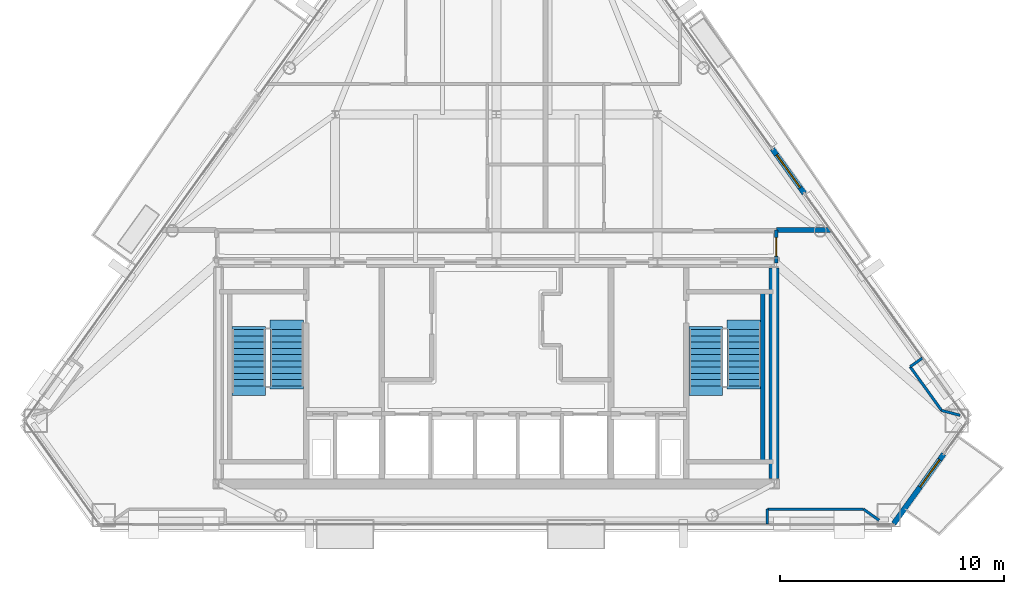
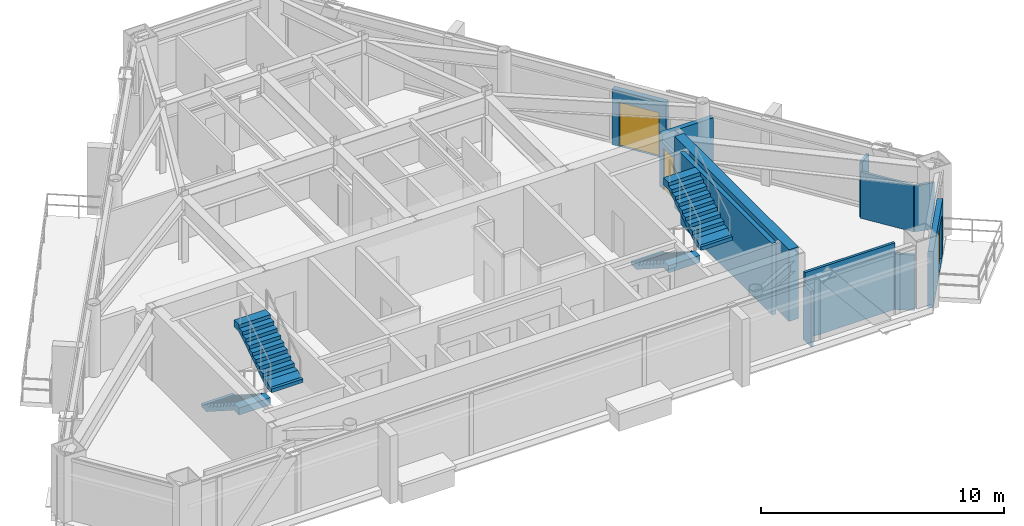
# One storey, part 9 of 11: 12 walls, 4 stair flights, 3 doors, 3 openings, 2 elements without a shape of their own.
"""IFC4 building model written with IfcOpenShell, lengths in metres."""

from ifc_helpers import new_model, si_unit, direction, frame, frame_2d, origin, place, context, subcontext, project, spatial, polyline, rectangle, outline, extrude, material, layer, layer_set, type_object, element, fill, aggregate, save


model = new_model("IFC4")

# Units and contexts
model_context = context("Model", 3, precision=1e-05, world=origin(), true_north=direction((0.0, 1.0)))
body_context = subcontext(model_context, "Body", "Model", "MODEL_VIEW")
ifc_project = project(units=[si_unit("LENGTHUNIT", "METRE"), si_unit("AREAUNIT", "SQUARE_METRE"), si_unit("VOLUMEUNIT", "CUBIC_METRE"), si_unit("PLANEANGLEUNIT", "RADIAN"), si_unit("MASSUNIT", "GRAM", prefix="KILO")], contexts=[model_context])

# Site, building, storey
site_placement = place(None, origin())
site = spatial("IfcSite", under=ifc_project, at=site_placement, CompositionType="ELEMENT")
building_placement = place(site_placement, origin())
building = spatial("IfcBuilding", under=site, at=building_placement, Name="Talgorran Terracotta Tower", CompositionType="ELEMENT")
storey_placement = place(building_placement, frame((0.0, 0.0, 207.300048828125)))
storey = spatial("IfcBuildingStorey", under=building, at=storey_placement, Name="L54", CompositionType="ELEMENT", Elevation=207.300048828125)

# Wall, opening, door
ifc_material_1 = material(Name="Concrete C40/50", Category="concrete")
ifc_layer_1 = layer(ifc_material_1, 0.239990234375, Name="WT_BALCONY_SPAND")
ifc_layer_set_1 = layer_set([ifc_layer_1], Name="Concrete C40/50")
wall_type_1 = type_object("IfcWallType", Name="WT_BALCONY_SPAND", PredefinedType="STANDARD", material=ifc_layer_set_1)
wall_1_placement = place(storey_placement, frame((13.747314453125, -1.119873046875, -0.01513671875), z_axis=(0.0, 0.0, 1.0), x_axis=(-0.58349791381, 0.812114637585, 0.0)))
wall_1 = element("IfcWall", 1, at=wall_1_placement, inside=storey, type_object=wall_type_1, Name="WL-L54-BALP-BAL-NE", PredefinedType="STANDARD", context=body_context, shape_type="SweptSolid", body=[
    extrude(rectangle(XDim=2.440185546875, YDim=0.239990234375, at=frame_2d((1.22021484375, 0.0))), origin(), (0.0, 0.0, 1.0), 2.802001953125),
])
opening_1_placement = place(wall_1_placement, frame((0.320068359375, 0.0, 0.014892578125)))
opening_1 = element("IfcOpeningElement", 2, at=opening_1_placement, cuts=wall_1, Name="Opening D-BAL-L54-1", PredefinedType="OPENING", context=body_context, shape_type="SweptSolid", body=[
    extrude(rectangle(XDim=1.806048828125, YDim=2.203951171875, at=frame_2d((0.89990234375, 1.10205078125))), frame((0.0, 0.1298828125, 0.0), z_axis=(0.0, -1.0, 0.0), x_axis=(1.0, 0.0, 0.0)), (0.0, 0.0, 1.0), 0.260009765625),
])
ifc_material_2 = material(Name="Thermally Broken Aluminium", Category="aluminium")
door_type_1 = type_object("IfcDoorType", Name="DT_BALC_1800", OperationType="SLIDING_TO_LEFT", PredefinedType="DOOR", material=ifc_material_2)
door_1_placement = place(opening_1_placement, origin())
door_1 = element("IfcDoor", 3, at=door_1_placement, inside=storey, type_object=door_type_1, Name="DR-L54-BAL-BAL-NE", OperationType="SLIDING_TO_LEFT", OverallHeight=2.199951171875, OverallWidth=1.800048828125, PredefinedType="DOOR", context=body_context, shape_type="SweptSolid", body=[
    extrude(rectangle(XDim=1.800048828125, YDim=2.199951171875, at=frame_2d((0.89990234375, 1.10009765625))), frame((0.0, 0.02490234375, 0.0), z_axis=(0.0, -1.0, 0.0), x_axis=(1.0, 0.0, 0.0)), (0.0, 0.0, 1.0), 0.050048828125),
])
fill(opening_1, door_1)

wall_2_placement = place(storey_placement, frame((17.7392578125, -15.8642578125, -0.01513671875), z_axis=(0.0, 0.0, 1.0), x_axis=(0.5835494265, 0.812077623649, 0.0)))
wall_2 = element("IfcWall", 4, at=wall_2_placement, inside=storey, type_object=wall_type_1, Name="WL-L54-BALP-BAL-SE", PredefinedType="STANDARD", context=body_context, shape_type="SweptSolid", body=[
    extrude(rectangle(XDim=3.8330078125, YDim=0.239990234375, at=frame_2d((1.91650390625, 0.0))), origin(), (0.0, 0.0, 1.0), 2.802001953125),
])
opening_2_placement = place(wall_2_placement, frame((2.01318359375, 0.0, 0.014892578125)))
opening_2 = element("IfcOpeningElement", 5, at=opening_2_placement, cuts=wall_2, Name="Opening D-BAL-L54-3", PredefinedType="OPENING", context=body_context, shape_type="SweptSolid", body=[
    extrude(rectangle(XDim=1.506, YDim=2.203951171875, at=frame_2d((0.75, 1.10205078125))), frame((0.0, 0.1298828125, 0.0), z_axis=(0.0, -1.0, 0.0), x_axis=(1.0, 0.0, 0.0)), (0.0, 0.0, 1.0), 0.260009765625),
])
door_type_2 = type_object("IfcDoorType", Name="DT_BALC_1500", OperationType="SLIDING_TO_RIGHT", PredefinedType="DOOR", material=ifc_material_2)
door_2_placement = place(opening_2_placement, origin())
door_2 = element("IfcDoor", 6, at=door_2_placement, inside=storey, type_object=door_type_2, Name="DR-L54-BAL-BAL-SE", OperationType="SLIDING_TO_RIGHT", OverallHeight=2.199951171875, OverallWidth=1.5, PredefinedType="DOOR", context=body_context, shape_type="SweptSolid", body=[
    extrude(rectangle(XDim=1.5, YDim=2.199951171875, at=frame_2d((0.75, 1.10009765625))), frame((0.0, 0.02490234375, 0.0), z_axis=(0.0, -1.0, 0.0), x_axis=(1.0, 0.0, 0.0)), (0.0, 0.0, 1.0), 0.050048828125),
])
fill(opening_2, door_2)

# Walls
ifc_material_3 = material(Name="Concrete C50/60", Category="concrete")
ifc_layer_2 = layer(ifc_material_3, 0.199951171875, Name="WT_CORE_200")
ifc_layer_set_2 = layer_set([ifc_layer_2], Name="Concrete C50/60")
wall_type_2 = type_object("IfcWallType", Name="WT_CORE_200", PredefinedType="SOLIDWALL", material=ifc_layer_set_2)
wall_3_placement = place(storey_placement, frame((11.89990234375, -13.10009765625, 0.0), z_axis=(0.0, 0.0, 1.0), x_axis=(0.0, 1.0, 0.0)))
element("IfcWall", 7, at=wall_3_placement, inside=storey, type_object=wall_type_2, Name="WL-L54-CW-ST2-E", PredefinedType="SOLIDWALL", context=body_context, shape_type="SweptSolid", body=[
    extrude(rectangle(XDim=7.580078125, YDim=0.199951171875, at=frame_2d((3.7900390625, 0.0))), origin(), (0.0, 0.0, 1.0), 3.599853515625),
])
ifc_material_4 = material(Name="Concrete C65/80", Category="concrete")
ifc_layer_3 = layer(ifc_material_4, 0.449951171875, Name="WT_CORE_EXT")
ifc_layer_set_3 = layer_set([ifc_layer_3], Name="Concrete C65/80")
wall_type_3 = type_object("IfcWallType", Name="WT_CORE_EXT", PredefinedType="SHEAR", material=ifc_layer_set_3)
wall_4_placement = place(storey_placement, frame((12.39990234375, -13.85009765625, 0.0), z_axis=(0.0, 0.0, 1.0), x_axis=(0.0, 1.0, 0.0)))
element("IfcWall", 8, at=wall_4_placement, inside=storey, type_object=wall_type_3, Name="WL-L54-CW-OUT-E", PredefinedType="SHEAR", context=body_context, shape_type="SweptSolid", body=[
    extrude(rectangle(XDim=9.400146484375, YDim=0.449951171875, at=frame_2d((4.7001953125, 0.0))), origin(), (0.0, 0.0, 1.0), 3.599853515625),
])

# Wall, opening, door
ifc_material_5 = material(Name="Fire-Rated Steel Stud Plasterboard", Category="steel")
ifc_layer_4 = layer(ifc_material_5, 0.14990234375, Name="WT_FIRE_150")
ifc_layer_set_4 = layer_set([ifc_layer_4], Name="Fire-Rated Steel Stud Plasterboard")
wall_type_4 = type_object("IfcWallType", Name="WT_FIRE_150", PredefinedType="PARTITIONING", material=ifc_layer_set_4)
wall_5_placement = place(storey_placement, frame((12.5, -4.239990234375, 0.0), z_axis=(0.0, 0.0, 1.0), x_axis=(0.0, 1.0, 0.0)))
wall_5 = element("IfcWall", 9, at=wall_5_placement, inside=storey, type_object=wall_type_4, Name="WL-L54-W-L54-R02", PredefinedType="PARTITIONING", context=body_context, shape_type="SweptSolid", body=[
    extrude(rectangle(XDim=1.47998046875, YDim=0.14990234375, at=frame_2d((0.739990234375, 0.0))), origin(), (0.0, 0.0, 1.0), 2.320068359375),
])
opening_3_placement = place(wall_5_placement, frame((0.31494140625, 0.0, 0.0)))
opening_3 = element("IfcOpeningElement", 10, at=opening_3_placement, cuts=wall_5, Name="Opening DR-L54-R02", PredefinedType="OPENING", context=body_context, shape_type="SweptSolid", body=[
    extrude(rectangle(XDim=0.826068359375, YDim=2.10409765625, at=frame_2d((0.41015625, 1.052001953125))), frame((0.0, 0.0849609375, 0.0), z_axis=(0.0, -1.0, 0.0), x_axis=(1.0, 0.0, 0.0)), (0.0, 0.0, 1.0), 0.169921875),
])
ifc_material_6 = material(Name="Moisture-Resistant Solid Timber", Category="wood")
door_type_3 = type_object("IfcDoorType", Name="DT_INT_820", OperationType="NOTDEFINED", PredefinedType="DOOR", material=ifc_material_6)
door_3_placement = place(opening_3_placement, origin())
door_3 = element("IfcDoor", 11, at=door_3_placement, inside=storey, type_object=door_type_3, Name="DR-L54-R02", OperationType="SINGLE_SWING_RIGHT", OverallHeight=2.10009765625, OverallWidth=0.820068359375, PredefinedType="DOOR", context=body_context, shape_type="SweptSolid", body=[
    extrude(rectangle(XDim=0.820068359375, YDim=2.10009765625, at=frame_2d((0.41015625, 1.050048828125))), frame((0.0, 0.02490234375, 0.0), z_axis=(0.0, -1.0, 0.0), x_axis=(1.0, 0.0, 0.0)), (0.0, 0.0, 1.0), 0.050048828125),
])
fill(opening_3, door_3)

# Walls
ifc_material_7 = material(Name="Acoustic Masonry and Plasterboard", Category="masonry")
ifc_layer_5 = layer(ifc_material_7, 0.219970703125, Name="WT_PARTY_220")
ifc_layer_set_5 = layer_set([ifc_layer_5], Name="Acoustic Masonry and Plasterboard")
wall_type_5 = type_object("IfcWallType", Name="WT_PARTY_220", PredefinedType="PARTITIONING", material=ifc_layer_set_5)
wall_6_placement = place(storey_placement, frame((12.5, -2.760009765625, 0.0), z_axis=(0.0, 0.0, 1.0), x_axis=(1.0, 0.0, 0.0)))
element("IfcWall", 12, at=wall_6_placement, inside=storey, type_object=wall_type_5, Name="WL-L54-W-L54-R08", PredefinedType="PARTITIONING", context=body_context, shape_type="SweptSolid", body=[
    extrude(rectangle(XDim=2.426025390625, YDim=0.219970703125, at=frame_2d((1.212890625, 0.0))), origin(), (0.0, 0.0, 1.0), 2.619873046875),
])
ifc_material_8 = material(Name="Insulated Steel Stud Plasterboard", Category="steel")
ifc_layer_6 = layer(ifc_material_8, 0.1201171875, Name="WT_PART_120")
ifc_layer_set_6 = layer_set([ifc_layer_6], Name="Insulated Steel Stud Plasterboard")
wall_type_6 = type_object("IfcWallType", Name="WT_PART_120", PredefinedType="PARTITIONING", material=ifc_layer_set_6)
wall_7_placement = place(storey_placement, frame((12.1005859375, -15.216796875, 0.0), z_axis=(0.0, 0.0, 1.0), x_axis=(1.0, 0.0, 0.0)))
element("IfcWall", 13, at=wall_7_placement, inside=storey, type_object=wall_type_6, Name="WL-L54-BW-L54-06", PredefinedType="PARTITIONING", context=body_context, shape_type="SweptSolid", body=[
    extrude(rectangle(XDim=4.288330078125, YDim=0.1201171875, at=frame_2d((2.14404296875, 0.0))), origin(), (0.0, 0.0, 1.0), 3.344970703125),
])
wall_8_placement = place(storey_placement, frame((19.8740234375, -10.810791015625, 0.0), z_axis=(0.0, 0.0, 1.0), x_axis=(-0.583564770882, 0.812066597137, 0.0)))
element("IfcWall", 14, at=wall_8_placement, inside=storey, type_object=wall_type_6, Name="WL-L54-BW-L54-12", PredefinedType="PARTITIONING", context=body_context, shape_type="SweptSolid", body=[
    extrude(rectangle(XDim=2.399658203125, YDim=0.1201171875, at=frame_2d((1.19970703125, 0.0))), origin(), (0.0, 0.0, 1.0), 2.320068359375),
])
wall_9_placement = place(storey_placement, frame((16.388916015625, -15.216796875, 0.0), z_axis=(0.0, 0.0, 1.0), x_axis=(0.814775258606, -0.579776920861, 0.0)))
element("IfcWall", 15, at=wall_9_placement, inside=storey, type_object=wall_type_6, Name="WL-L54-BW-L54-04", PredefinedType="PARTITIONING", context=body_context, shape_type="SweptSolid", body=[
    extrude(rectangle(XDim=0.85400390625, YDim=0.1201171875, at=frame_2d((0.427001953125, 0.0))), origin(), (0.0, 0.0, 1.0), 2.786865234375),
])
wall_10_placement = place(storey_placement, frame((20.698486328125, -11.026611328125, 0.0), z_axis=(0.0, 0.0, 1.0), x_axis=(-0.967403978064, 0.253238115667, 0.0)))
element("IfcWall", 16, at=wall_10_placement, inside=storey, type_object=wall_type_6, Name="WL-L54-BW-L54-11", PredefinedType="PARTITIONING", context=body_context, shape_type="SweptSolid", body=[
    extrude(rectangle(XDim=0.852294921875, YDim=0.1201171875, at=frame_2d((0.42626953125, 0.0))), origin(), (0.0, 0.0, 1.0), 2.320068359375),
])
for number, where, z_axis, x_axis, name in (
    (17, (12.1005859375, -15.88671875, 0.0), (0.0, 0.0, 1.0), (0.0, 1.0, 0.0), "WL-L54-BW-L54-05"),
    (18, (18.4736328125, -8.862060546875, 0.0), (0.0, 0.0, 1.0), (0.812080143416, 0.583545919932, 0.0), "WL-L54-BW-L54-10"),
):
    element("IfcWall", number, at=place(storey_placement, frame(where, z_axis=z_axis, x_axis=x_axis)), inside=storey, type_object=wall_type_6, Name=name, PredefinedType="PARTITIONING", context=body_context, shape_type="SweptSolid", body=[
        extrude(rectangle(XDim=0.669921875, YDim=0.1201171875, at=frame_2d((0.3349609375, 0.0))), origin(), (0.0, 0.0, 1.0), 2.786865234375),
    ])

# Stair, stair flights
stair_type = type_object("IfcStairType", Name="ST_FIRE_SCISSOR", PredefinedType="HALF_TURN_STAIR", material=ifc_material_1)
stair_1_placement = place(storey_placement, origin())
stair_1 = element("IfcStair", 19, at=stair_1_placement, inside=storey, type_object=stair_type, Name="L54 West Protected Fire Stair ST-01", PredefinedType="HALF_TURN_STAIR")
ifc_layer_7 = layer(ifc_material_1, 0.179931640625, Name="STF_RC_1500")
ifc_layer_set_7 = layer_set([ifc_layer_7], Name="Concrete C40/50")
stair_flight_type = type_object("IfcStairFlightType", Name="STF_RC_1500", PredefinedType="STRAIGHT", material=ifc_layer_set_7)
stair_flight_1_placement = place(storey_placement, frame((-11.050048828125, -7.199951171875, 0.0), z_axis=(0.0, 0.0, 1.0), x_axis=(0.0, -1.0, 0.0)))
stair_flight_1 = element("IfcStairFlight", 20, at=stair_flight_1_placement, type_object=stair_flight_type, Name="ST-01 flight 1", NumberOfRisers=10, NumberOfTreads=9, PredefinedType="STRAIGHT", RiserHeight=0.18, TreadLength=0.28, context=body_context, shape_type="SweptSolid", body=[
    extrude(outline(polyline([(-0.139892578125, 0.0), (-0.139892578125, 0.179931640625), (0.0, 0.179931640625), (0.280029296875, 0.360107421875), (0.56005859375, 0.360107421875), (0.56005859375, 0.5400390625), (0.840087890625, 0.5400390625), (0.840087890625, 0.719970703125), (1.1201171875, 0.719970703125), (1.1201171875, 0.89990234375), (1.39990234375, 0.89990234375), (1.39990234375, 1.080078125), (1.679931640625, 1.080078125), (1.679931640625, 1.260009765625), (1.9599609375, 1.260009765625), (1.9599609375, 1.43994140625), (2.239990234375, 1.43994140625), (2.239990234375, 1.6201171875), (2.52001953125, 1.6201171875), (2.52001953125, 1.800048828125), (2.93994140625, 1.800048828125), (2.93994140625, 1.44189453125), (2.52001953125, 1.44189453125), (0.277099609375, 0.0), (-0.139892578125, 0.0)])), frame((0.0, 0.75, 0.0), z_axis=(0.0, -1.0, 0.0), x_axis=(1.0, 0.0, 0.0)), (0.0, 0.0, 1.0), 1.5),
])
stair_flight_2_placement = place(storey_placement, frame((-9.35009765625, -9.719970703125, 1.800048828125), z_axis=(0.0, 0.0, 1.0), x_axis=(0.0, 1.0, 0.0)))
stair_flight_2 = element("IfcStairFlight", 21, at=stair_flight_2_placement, type_object=stair_flight_type, Name="ST-01 flight 2", NumberOfRisers=10, NumberOfTreads=9, PredefinedType="STRAIGHT", RiserHeight=0.18, TreadLength=0.28, context=body_context, shape_type="SweptSolid", body=[
    extrude(outline(polyline([(-0.139892578125, 0.0), (-0.139892578125, 0.179931640625), (0.0, 0.179931640625), (0.280029296875, 0.360107421875), (0.56005859375, 0.360107421875), (0.56005859375, 0.5400390625), (0.840087890625, 0.5400390625), (0.840087890625, 0.719970703125), (1.1201171875, 0.719970703125), (1.1201171875, 0.89990234375), (1.39990234375, 0.89990234375), (1.39990234375, 1.080078125), (1.679931640625, 1.080078125), (1.679931640625, 1.260009765625), (1.9599609375, 1.260009765625), (1.9599609375, 1.43994140625), (2.239990234375, 1.43994140625), (2.239990234375, 1.6201171875), (2.52001953125, 1.6201171875), (2.52001953125, 1.800048828125), (2.93994140625, 1.800048828125), (2.93994140625, 1.44189453125), (2.52001953125, 1.44189453125), (0.277099609375, 0.0), (-0.139892578125, 0.0)])), frame((0.0, 0.75, 0.0), z_axis=(0.0, -1.0, 0.0), x_axis=(1.0, 0.0, 0.0)), (0.0, 0.0, 1.0), 1.5),
])
aggregate(stair_1, [stair_flight_1, stair_flight_2])

stair_2_placement = place(storey_placement, origin())
stair_2 = element("IfcStair", 22, at=stair_2_placement, inside=storey, type_object=stair_type, Name="L54 East Protected Fire Stair ST-02", PredefinedType="HALF_TURN_STAIR")
stair_flight_3_placement = place(storey_placement, frame((9.35009765625, -7.199951171875, 0.0), z_axis=(0.0, 0.0, 1.0), x_axis=(0.0, -1.0, 0.0)))
stair_flight_3 = element("IfcStairFlight", 23, at=stair_flight_3_placement, type_object=stair_flight_type, Name="ST-02 flight 1", NumberOfRisers=10, NumberOfTreads=9, PredefinedType="STRAIGHT", RiserHeight=0.18, TreadLength=0.28, context=body_context, shape_type="SweptSolid", body=[
    extrude(outline(polyline([(-0.139892578125, 0.0), (-0.139892578125, 0.179931640625), (0.0, 0.179931640625), (0.280029296875, 0.360107421875), (0.56005859375, 0.360107421875), (0.56005859375, 0.5400390625), (0.840087890625, 0.5400390625), (0.840087890625, 0.719970703125), (1.1201171875, 0.719970703125), (1.1201171875, 0.89990234375), (1.39990234375, 0.89990234375), (1.39990234375, 1.080078125), (1.679931640625, 1.080078125), (1.679931640625, 1.260009765625), (1.9599609375, 1.260009765625), (1.9599609375, 1.43994140625), (2.239990234375, 1.43994140625), (2.239990234375, 1.6201171875), (2.52001953125, 1.6201171875), (2.52001953125, 1.800048828125), (2.93994140625, 1.800048828125), (2.93994140625, 1.44189453125), (2.52001953125, 1.44189453125), (0.277099609375, 0.0), (-0.139892578125, 0.0)])), frame((0.0, 0.75, 0.0), z_axis=(0.0, -1.0, 0.0), x_axis=(1.0, 0.0, 0.0)), (0.0, 0.0, 1.0), 1.5),
])
stair_flight_4_placement = place(storey_placement, frame((11.050048828125, -9.719970703125, 1.800048828125), z_axis=(0.0, 0.0, 1.0), x_axis=(0.0, 1.0, 0.0)))
stair_flight_4 = element("IfcStairFlight", 24, at=stair_flight_4_placement, type_object=stair_flight_type, Name="ST-02 flight 2", NumberOfRisers=10, NumberOfTreads=9, PredefinedType="STRAIGHT", RiserHeight=0.18, TreadLength=0.28, context=body_context, shape_type="SweptSolid", body=[
    extrude(outline(polyline([(-0.139892578125, 0.0), (-0.139892578125, 0.179931640625), (0.0, 0.179931640625), (0.280029296875, 0.360107421875), (0.56005859375, 0.360107421875), (0.56005859375, 0.5400390625), (0.840087890625, 0.5400390625), (0.840087890625, 0.719970703125), (1.1201171875, 0.719970703125), (1.1201171875, 0.89990234375), (1.39990234375, 0.89990234375), (1.39990234375, 1.080078125), (1.679931640625, 1.080078125), (1.679931640625, 1.260009765625), (1.9599609375, 1.260009765625), (1.9599609375, 1.43994140625), (2.239990234375, 1.43994140625), (2.239990234375, 1.6201171875), (2.52001953125, 1.6201171875), (2.52001953125, 1.800048828125), (2.93994140625, 1.800048828125), (2.93994140625, 1.44189453125), (2.52001953125, 1.44189453125), (0.277099609375, 0.0), (-0.139892578125, 0.0)])), frame((0.0, 0.75, 0.0), z_axis=(0.0, -1.0, 0.0), x_axis=(1.0, 0.0, 0.0)), (0.0, 0.0, 1.0), 1.5),
])
aggregate(stair_2, [stair_flight_3, stair_flight_4])

save(model, "model.ifc")
